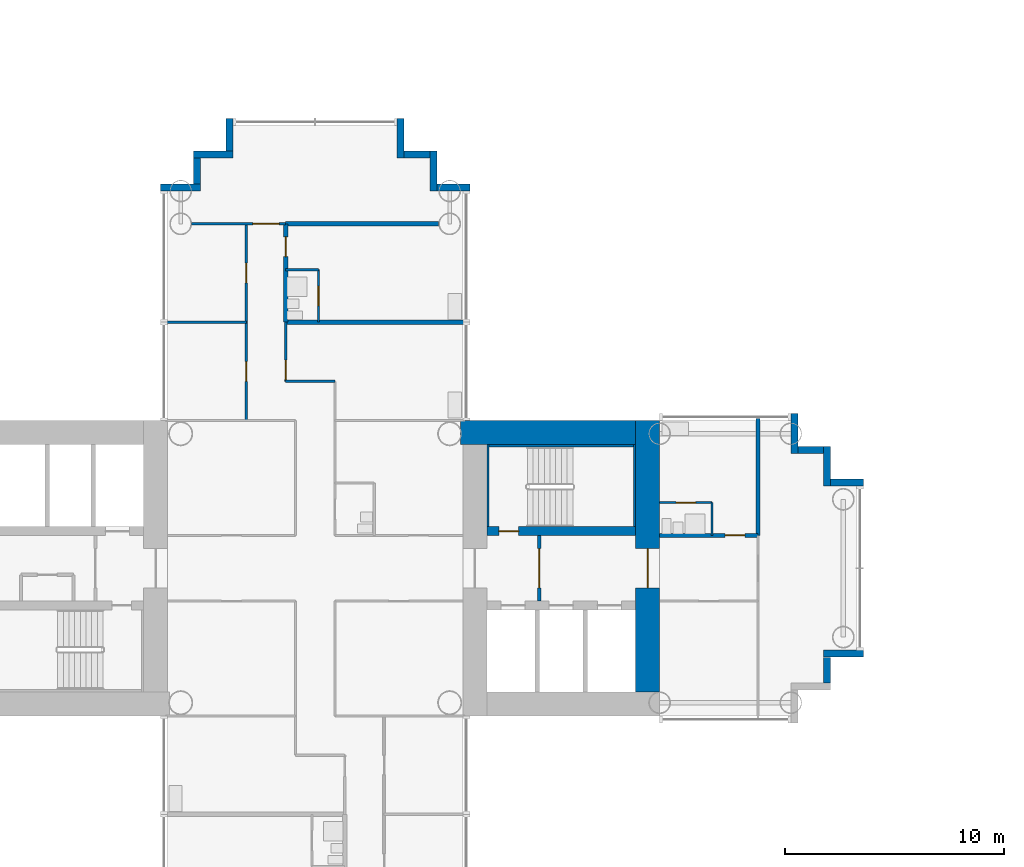
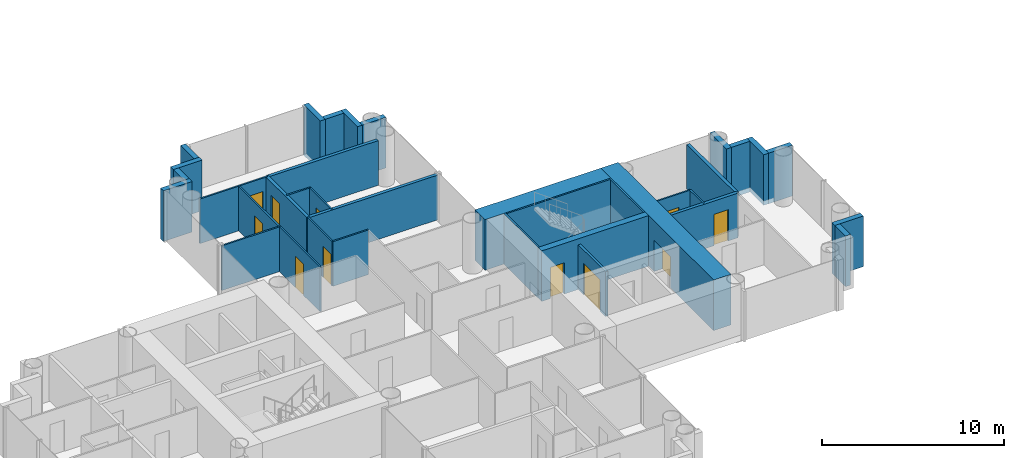
# One storey, part 11 of 21: 35 walls, 11 doors, 11 openings.
"""IFC4 building model written with IfcOpenShell, lengths in metres."""

import ifcopenshell
import ifcopenshell.guid

model = None  # the IFC model being written
_history = None  # IfcOwnerHistory: only IFC2X3 demands one
_inside = {}  # id of a spatial element -> (the spatial element, [elements in it])
_under = {}  # id of a project, library or spatial element -> (it, [spatial elements below it])
_declared = {}  # id of a project -> (the project, [libraries it declares])
_typed = {}  # id of a type object -> (the type object, [elements of that type])
_made_of = {}  # id of a material, layer set ... -> (it, [elements and type objects made of it])


def new_model(schema):
    """Start an empty IFC model of exactly this schema.

    Asked for "IFC4X3", IfcOpenShell would pick the latest addendum, in which some entities
    have other attributes; the version numbers below select the first issue.
    IFC2X3 requires an IfcOwnerHistory on every rooted entity: one is made here for all.
    """
    global model, _history
    if schema == "IFC4X3":
        model = ifcopenshell.file(schema_version=(4, 3, 0, 0))
    else:
        model = ifcopenshell.file(schema=schema)
    _inside.clear()
    _under.clear()
    _declared.clear()
    _typed.clear()
    _made_of.clear()
    _history = None
    if model.schema == "IFC2X3":
        org = make("IfcOrganization", Name="unknown")
        user = make(
            "IfcPersonAndOrganization",
            ThePerson=make("IfcPerson", FamilyName="unknown"),
            TheOrganization=org,
        )
        app = make(
            "IfcApplication",
            ApplicationDeveloper=org,
            Version="unknown",
            ApplicationFullName="unknown",
            ApplicationIdentifier="unknown",
        )
        _history = make(
            "IfcOwnerHistory",
            OwningUser=user,
            OwningApplication=app,
            ChangeAction="ADDED",
            CreationDate=0,
        )
    return model


def make(cls, **values):
    """One entity of the class cls with the attributes given. An attribute that is None is left unset."""
    return model.create_entity(
        cls, **{name: value for name, value in values.items() if value is not None}
    )


def rooted(cls, **values):
    """An entity with a GlobalId (a new one), such as an element, a storey or a relation."""
    return make(cls, GlobalId=ifcopenshell.guid.new(), OwnerHistory=_history, **values)


def si_unit(unit_type, name, prefix=None):
    """IfcSIUnit, for example si_unit("LENGTHUNIT", "METRE", prefix="MILLI")."""
    return make("IfcSIUnit", UnitType=unit_type, Prefix=prefix, Name=name)


def assignment(units):
    """IfcUnitAssignment: the units of a project."""
    return None if units is None else make("IfcUnitAssignment", Units=units)


def point(xyz):
    """IfcCartesianPoint."""
    return None if xyz is None else make("IfcCartesianPoint", Coordinates=xyz)


def direction(xyz):
    """IfcDirection."""
    return None if xyz is None else make("IfcDirection", DirectionRatios=xyz)


def frame(location, z_axis=None, x_axis=None):
    """IfcAxis2Placement3D, a coordinate frame: its origin and axes. An axis left out is left unset."""
    return make(
        "IfcAxis2Placement3D",
        Location=point(location),
        Axis=direction(z_axis),
        RefDirection=direction(x_axis),
    )


def frame_2d(location, x_axis=None):
    """IfcAxis2Placement2D, a coordinate frame in the plane: its origin and x axis."""
    return make(
        "IfcAxis2Placement2D", Location=point(location), RefDirection=direction(x_axis)
    )


def origin():
    """The frame at (0, 0, 0) with its axes left unset."""
    return frame((0.0, 0.0, 0.0))


def place(relative_to, where):
    """IfcLocalPlacement: puts the frame where relative to a parent placement (None: the world)."""
    return make(
        "IfcLocalPlacement", PlacementRelTo=relative_to, RelativePlacement=where
    )


def context(
    kind, dimensions, precision=None, world=None, true_north=None, identifier=None
):
    """IfcGeometricRepresentationContext, for example the 3D "Model" context."""
    return make(
        "IfcGeometricRepresentationContext",
        ContextIdentifier=identifier,
        ContextType=kind,
        CoordinateSpaceDimension=dimensions,
        Precision=precision,
        WorldCoordinateSystem=world,
        TrueNorth=true_north,
    )


def subcontext(parent, identifier, kind, view, scale=None):
    """IfcGeometricRepresentationSubContext, for example "Body" below "Model"."""
    return make(
        "IfcGeometricRepresentationSubContext",
        ContextIdentifier=identifier,
        ContextType=kind,
        ParentContext=parent,
        TargetScale=scale,
        TargetView=view,
    )


def project(units=None, contexts=None):
    """IfcProject with its units and contexts."""
    return rooted(
        "IfcProject",
        Name="project",
        RepresentationContexts=contexts,
        UnitsInContext=assignment(units),
    )


def spatial(cls, under=None, at=None, **own):
    """A site, building, storey or space (cls), placed at a placement, below another one or the project."""
    s = rooted(cls, ObjectPlacement=at, **own)
    if under is not None:
        _under.setdefault(under.id(), (under, []))[1].append(s)
    return s


def profile(cls, at=None, kind="AREA", **sizes):
    """A parametric profile (cls). Its sizes go by their IFC names, for example OverallWidth=200.0."""
    return make(cls, ProfileType=kind, Position=at, **sizes)


def rectangle(**sizes):
    """IfcRectangleProfileDef."""
    return profile("IfcRectangleProfileDef", **sizes)


def extrude(swept, where, along, depth):
    """IfcExtrudedAreaSolid: the profile swept, set in the frame where, extruded along a direction by depth."""
    return make(
        "IfcExtrudedAreaSolid",
        SweptArea=swept,
        Position=where,
        ExtrudedDirection=direction(along),
        Depth=depth,
    )


def shape(context_of_items, identifier, shape_type, items):
    """IfcShapeRepresentation: the items that make up one representation, for example the "Body"."""
    return make(
        "IfcShapeRepresentation",
        ContextOfItems=context_of_items,
        RepresentationIdentifier=identifier,
        RepresentationType=shape_type,
        Items=items,
    )


def material(Name=None, Category=None):
    """IfcMaterial."""
    return make("IfcMaterial", Name=Name, Category=Category)


def layer(
    of_material, thickness, ventilated=None, Name=None, Category=None, Priority=None
):
    """IfcMaterialLayer: one layer of a wall or slab, of a material (None: an air gap)."""
    return make(
        "IfcMaterialLayer",
        Material=of_material,
        LayerThickness=thickness,
        IsVentilated=ventilated,
        Name=Name,
        Category=Category,
        Priority=Priority,
    )


def layer_set(layers, Name=None):
    """IfcMaterialLayerSet."""
    return make("IfcMaterialLayerSet", MaterialLayers=layers, LayerSetName=Name)


def made_of(thing, what):
    """Note that an element or type object is made of a material, layer set ...; save() writes the relation."""
    if what is not None:
        _made_of.setdefault(what.id(), (what, []))[1].append(thing)
    return thing


def type_object(cls, material=None, **own):
    """A type object (cls), such as IfcWallType, which elements share."""
    return made_of(rooted(cls, **own), material)


def element(
    cls,
    number,
    at=None,
    inside=None,
    cuts=None,
    type_object=None,
    material=None,
    context=None,
    identifier="Body",
    shape_type=None,
    held_by="IfcProductDefinitionShape",
    body=None,
    shapes=None,
    **own,
):
    """One element of the class cls, such as IfcWall. Its Tag is "e" and its number.

    at: its placement. inside: the storey or other place that contains it. cuts: it is an
    opening in that element (IfcRelVoidsElement). A single representation is given by context,
    identifier, shape_type and body (its items); several are given by shapes. held_by: the class
    of the entity that holds the representations. save() writes the other relations.
    """
    e = rooted(cls, Tag="e%d" % number, ObjectPlacement=at, **own)
    if body is not None:
        shapes = [shape(context, identifier, shape_type, body)]
    if shapes is not None:
        e.Representation = make(held_by, Representations=shapes)
    if inside is not None:
        _inside.setdefault(inside.id(), (inside, []))[1].append(e)
    if cuts is not None:
        rooted(
            "IfcRelVoidsElement", RelatingBuildingElement=cuts, RelatedOpeningElement=e
        )
    if type_object is not None:
        _typed.setdefault(type_object.id(), (type_object, []))[1].append(e)
    return made_of(e, material)


def fill(opening, filler):
    """IfcRelFillsElement: the door or window that sits in an opening."""
    return rooted(
        "IfcRelFillsElement",
        RelatingOpeningElement=opening,
        RelatedBuildingElement=filler,
    )


def aggregate(whole, parts):
    """IfcRelAggregates: a whole, such as a stair, and the parts it consists of."""
    return rooted("IfcRelAggregates", RelatingObject=whole, RelatedObjects=parts)


def save(model, path):
    """Write the relations noted so far, then the file.

    IfcRelAggregates (storeys below a building ...), IfcRelContainedInSpatialStructure (elements
    in a storey), IfcRelDefinesByType, IfcRelAssociatesMaterial and IfcRelDeclares: one each for
    every whole, place, type object, material and project.
    """
    for whole, parts in _under.values():
        aggregate(whole, parts)
    for where, things in _inside.values():
        rooted(
            "IfcRelContainedInSpatialStructure",
            RelatedElements=things,
            RelatingStructure=where,
        )
    for kind, things in _typed.values():
        rooted("IfcRelDefinesByType", RelatedObjects=things, RelatingType=kind)
    for what, things in _made_of.values():
        rooted("IfcRelAssociatesMaterial", RelatedObjects=things, RelatingMaterial=what)
    for by, libraries in _declared.values():
        rooted("IfcRelDeclares", RelatingContext=by, RelatedDefinitions=libraries)
    model.write(path)


model = new_model("IFC4")

# Units and contexts
model_context = context("Model", 3, precision=1e-05, world=origin(), true_north=direction((0.0, 1.0)))
body_context = subcontext(model_context, "Body", "Model", "MODEL_VIEW")
ifc_project = project(units=[si_unit("LENGTHUNIT", "METRE"), si_unit("AREAUNIT", "SQUARE_METRE"), si_unit("VOLUMEUNIT", "CUBIC_METRE"), si_unit("PLANEANGLEUNIT", "RADIAN"), si_unit("MASSUNIT", "GRAM", prefix="KILO")], contexts=[model_context])

# Site, building, storey
site_placement = place(None, origin())
site = spatial("IfcSite", under=ifc_project, at=site_placement, CompositionType="ELEMENT")
building_placement = place(site_placement, origin())
building = spatial("IfcBuilding", under=site, at=building_placement, Name="Ipe Terrace Towers", CompositionType="ELEMENT")
storey_placement = place(building_placement, frame((0.0, 0.0, 48.300048828125)))
storey = spatial("IfcBuildingStorey", under=building, at=storey_placement, Name="L12", CompositionType="ELEMENT", Elevation=48.300048828125)

# Walls
ifc_material_1 = material(Name="Concrete C40/50 with buff precast cladding", Category="concrete")
ifc_layer_1 = layer(ifc_material_1, 0.320068359375)
ifc_layer_set_1 = layer_set([ifc_layer_1], Name="BUFF CLADDING WALL 320")
wall_type_1 = type_object("IfcWallType", Name="BUFF CLADDING WALL 320", PredefinedType="STANDARD", material=ifc_layer_set_1)
wall_1_placement = place(storey_placement, frame((-12.590087890625, -5.25, -0.300048828125), z_axis=(0.0, 0.0, 1.0), x_axis=(0.0, 1.0, 0.0)))
element("IfcWall", 1, at=wall_1_placement, inside=storey, type_object=wall_type_1, Name="T1-W-L12-23a wall", PredefinedType="STANDARD", context=body_context, shape_type="SweptSolid", body=[
    extrude(rectangle(XDim=1.179931640625, YDim=0.320068359375, at=frame_2d((0.58984375, 0.0))), origin(), (0.0, 0.0, 1.0), 3.39990234375),
])
wall_2_placement = place(storey_placement, frame((-12.75, -3.909912109375, -0.300048828125), z_axis=(0.0, 0.0, 1.0), x_axis=(1.0, 0.0, 0.0)))
element("IfcWall", 2, at=wall_2_placement, inside=storey, type_object=wall_type_1, Name="T1-W-L12-24a wall", PredefinedType="STANDARD", context=body_context, shape_type="SweptSolid", body=[
    extrude(rectangle(XDim=1.820068359375, YDim=0.320068359375, at=frame_2d((0.91015625, 0.0))), origin(), (0.0, 0.0, 1.0), 3.39990234375),
])
wall_3_placement = place(storey_placement, frame((-10.929931640625, 3.909912109375, -0.300048828125), z_axis=(0.0, 0.0, 1.0), x_axis=(-1.0, 0.0, 0.0)))
element("IfcWall", 3, at=wall_3_placement, inside=storey, type_object=wall_type_1, Name="T1-W-L12-26a wall", PredefinedType="STANDARD", context=body_context, shape_type="SweptSolid", body=[
    extrude(rectangle(XDim=1.5, YDim=0.320068359375, at=frame_2d((0.75, 0.0))), origin(), (0.0, 0.0, 1.0), 3.39990234375),
])
wall_4_placement = place(storey_placement, frame((-12.590087890625, 3.75, -0.300048828125), z_axis=(0.0, 0.0, 1.0), x_axis=(0.0, 1.0, 0.0)))
element("IfcWall", 4, at=wall_4_placement, inside=storey, type_object=wall_type_1, Name="T1-W-L12-27a wall", PredefinedType="STANDARD", context=body_context, shape_type="SweptSolid", body=[
    extrude(rectangle(XDim=1.820068359375, YDim=0.320068359375, at=frame_2d((0.91015625, 0.0))), origin(), (0.0, 0.0, 1.0), 3.39990234375),
])
wall_5_placement = place(storey_placement, frame((-12.75, 5.409912109375, -0.300048828125), z_axis=(0.0, 0.0, 1.0), x_axis=(-1.0, 0.0, 0.0)))
element("IfcWall", 5, at=wall_5_placement, inside=storey, type_object=wall_type_1, Name="T1-W-L12-28a wall", PredefinedType="STANDARD", context=body_context, shape_type="SweptSolid", body=[
    extrude(rectangle(XDim=1.179931640625, YDim=0.320068359375, at=frame_2d((0.58984375, 0.0))), origin(), (0.0, 0.0, 1.0), 3.39990234375),
])
wall_6_placement = place(storey_placement, frame((-14.090087890625, 5.25, -0.300048828125), z_axis=(0.0, 0.0, 1.0), x_axis=(0.0, 1.0, 0.0)))
element("IfcWall", 6, at=wall_6_placement, inside=storey, type_object=wall_type_1, Name="T1-W-L12-29a wall", PredefinedType="STANDARD", context=body_context, shape_type="SweptSolid", body=[
    extrude(rectangle(XDim=1.820068359375, YDim=0.320068359375, at=frame_2d((0.91015625, 0.0))), origin(), (0.0, 0.0, 1.0), 3.39990234375),
])
wall_7_placement = place(storey_placement, frame((-28.929931640625, 17.409912109375, -0.300048828125), z_axis=(0.0, 0.0, 1.0), x_axis=(-1.0, 0.0, 0.0)))
element("IfcWall", 7, at=wall_7_placement, inside=storey, type_object=wall_type_1, Name="T1-W-L12-34a wall", PredefinedType="STANDARD", context=body_context, shape_type="SweptSolid", body=[
    extrude(rectangle(XDim=1.5, YDim=0.320068359375, at=frame_2d((0.75, 0.0))), origin(), (0.0, 0.0, 1.0), 3.39990234375),
])
wall_8_placement = place(storey_placement, frame((-30.590087890625, 17.25, -0.300048828125), z_axis=(0.0, 0.0, 1.0), x_axis=(0.0, 1.0, 0.0)))
element("IfcWall", 8, at=wall_8_placement, inside=storey, type_object=wall_type_1, Name="T1-W-L12-35a wall", PredefinedType="STANDARD", context=body_context, shape_type="SweptSolid", body=[
    extrude(rectangle(XDim=1.820068359375, YDim=0.320068359375, at=frame_2d((0.91015625, 0.0))), origin(), (0.0, 0.0, 1.0), 3.39990234375),
])
wall_9_placement = place(storey_placement, frame((-30.75, 18.909912109375, -0.300048828125), z_axis=(0.0, 0.0, 1.0), x_axis=(-1.0, 0.0, 0.0)))
element("IfcWall", 9, at=wall_9_placement, inside=storey, type_object=wall_type_1, Name="T1-W-L12-36a wall", PredefinedType="STANDARD", context=body_context, shape_type="SweptSolid", body=[
    extrude(rectangle(XDim=1.179931640625, YDim=0.320068359375, at=frame_2d((0.58984375, 0.0))), origin(), (0.0, 0.0, 1.0), 3.39990234375),
])
wall_10_placement = place(storey_placement, frame((-32.090087890625, 18.75, -0.300048828125), z_axis=(0.0, 0.0, 1.0), x_axis=(0.0, 1.0, 0.0)))
element("IfcWall", 10, at=wall_10_placement, inside=storey, type_object=wall_type_1, Name="T1-W-L12-37a wall", PredefinedType="STANDARD", context=body_context, shape_type="SweptSolid", body=[
    extrude(rectangle(XDim=1.820068359375, YDim=0.320068359375, at=frame_2d((0.91015625, 0.0))), origin(), (0.0, 0.0, 1.0), 3.39990234375),
])
wall_11_placement = place(storey_placement, frame((-39.909912109375, 20.570068359375, -0.300048828125), z_axis=(0.0, 0.0, 1.0), x_axis=(0.0, -1.0, 0.0)))
element("IfcWall", 11, at=wall_11_placement, inside=storey, type_object=wall_type_1, Name="T1-W-L12-39a wall", PredefinedType="STANDARD", context=body_context, shape_type="SweptSolid", body=[
    extrude(rectangle(XDim=1.5, YDim=0.320068359375, at=frame_2d((0.75, 0.0))), origin(), (0.0, 0.0, 1.0), 3.39990234375),
])
wall_12_placement = place(storey_placement, frame((-39.75, 18.909912109375, -0.300048828125), z_axis=(0.0, 0.0, 1.0), x_axis=(-1.0, 0.0, 0.0)))
element("IfcWall", 12, at=wall_12_placement, inside=storey, type_object=wall_type_1, Name="T1-W-L12-40a wall", PredefinedType="STANDARD", context=body_context, shape_type="SweptSolid", body=[
    extrude(rectangle(XDim=1.820068359375, YDim=0.320068359375, at=frame_2d((0.91015625, 0.0))), origin(), (0.0, 0.0, 1.0), 3.39990234375),
])
wall_13_placement = place(storey_placement, frame((-41.409912109375, 18.75, -0.300048828125), z_axis=(0.0, 0.0, 1.0), x_axis=(0.0, -1.0, 0.0)))
element("IfcWall", 13, at=wall_13_placement, inside=storey, type_object=wall_type_1, Name="T1-W-L12-41a wall", PredefinedType="STANDARD", context=body_context, shape_type="SweptSolid", body=[
    extrude(rectangle(XDim=1.179931640625, YDim=0.320068359375, at=frame_2d((0.58984375, 0.0))), origin(), (0.0, 0.0, 1.0), 3.39990234375),
])
wall_14_placement = place(storey_placement, frame((-41.25, 17.409912109375, -0.300048828125), z_axis=(0.0, 0.0, 1.0), x_axis=(-1.0, 0.0, 0.0)))
element("IfcWall", 14, at=wall_14_placement, inside=storey, type_object=wall_type_1, Name="T1-W-L12-42a wall", PredefinedType="STANDARD", context=body_context, shape_type="SweptSolid", body=[
    extrude(rectangle(XDim=1.820068359375, YDim=0.320068359375, at=frame_2d((0.91015625, 0.0))), origin(), (0.0, 0.0, 1.0), 3.39990234375),
])

# Wall, openings, doors
ifc_material_2 = material(Name="Gypsum board partition", Category="plasterboard")
ifc_layer_2 = layer(ifc_material_2, 0.10009765625)
ifc_layer_set_2 = layer_set([ifc_layer_2], Name="Gypsum board partition 100 mm")
wall_type_2 = type_object("IfcWallType", Name="Gypsum board partition 100 mm", PredefinedType="PARTITIONING", material=ifc_layer_set_2)
wall_15_placement = place(storey_placement, frame((-39.14990234375, 6.75, 0.0), z_axis=(0.0, 0.0, 1.0), x_axis=(0.0, 1.0, 0.0)))
wall_15 = element("IfcWall", 15, at=wall_15_placement, inside=storey, type_object=wall_type_2, Name="Gypsum board partition T1 L12 W04", PredefinedType="PARTITIONING", context=body_context, shape_type="SweptSolid", body=[
    extrude(rectangle(XDim=9.0, YDim=0.10009765625, at=frame_2d((4.5, 0.0))), origin(), (0.0, 0.0, 1.0), 3.0),
])
opening_1_placement = place(wall_15_placement, frame((1.800048828125, 0.0, 0.0)))
opening_1 = element("IfcOpeningElement", 16, at=opening_1_placement, cuts=wall_15, Name="Opening T1-Z1C-06", PredefinedType="OPENING", context=body_context, shape_type="SweptSolid", body=[
    extrude(rectangle(XDim=0.89990234375, YDim=2.10009765625, at=frame_2d((0.449951171875, 1.050048828125))), frame((0.0, 0.06005859375, 0.0), z_axis=(0.0, -1.0, 0.0), x_axis=(1.0, 0.0, 0.0)), (0.0, 0.0, 1.0), 0.1201171875),
])
opening_2_placement = place(wall_15_placement, frame((6.300048828125, 0.0, 0.0)))
opening_2 = element("IfcOpeningElement", 17, at=opening_2_placement, cuts=wall_15, Name="Opening T1-Z1C-07", PredefinedType="OPENING", context=body_context, shape_type="SweptSolid", body=[
    extrude(rectangle(XDim=0.89990234375, YDim=2.10009765625, at=frame_2d((0.449951171875, 1.050048828125))), frame((0.0, 0.06005859375, 0.0), z_axis=(0.0, -1.0, 0.0), x_axis=(1.0, 0.0, 0.0)), (0.0, 0.0, 1.0), 0.1201171875),
])
ifc_material_3 = material(Name="Timber door leaf", Category="wood")
door_type_1 = type_object("IfcDoorType", Name="Lounge door 900 x 2100", OperationType="NOTDEFINED", PredefinedType="DOOR", material=ifc_material_3)
door_1_placement = place(opening_1_placement, origin())
door_1 = element("IfcDoor", 18, at=door_1_placement, inside=storey, type_object=door_type_1, Name="Lounge door T1-Z1C-06", OperationType="SINGLE_SWING_RIGHT", OverallHeight=2.10009765625, OverallWidth=0.89990234375, PredefinedType="DOOR", context=body_context, shape_type="SweptSolid", body=[
    extrude(rectangle(XDim=0.89990234375, YDim=2.10009765625, at=frame_2d((0.449951171875, 1.050048828125))), frame((0.0, 0.02490234375, 0.0), z_axis=(0.0, -1.0, 0.0), x_axis=(1.0, 0.0, 0.0)), (0.0, 0.0, 1.0), 0.050048828125),
])
fill(opening_1, door_1)
door_2_placement = place(opening_2_placement, origin())
door_2 = element("IfcDoor", 19, at=door_2_placement, inside=storey, type_object=door_type_1, Name="Lounge door T1-Z1C-07", OperationType="SINGLE_SWING_LEFT", OverallHeight=2.10009765625, OverallWidth=0.89990234375, PredefinedType="DOOR", context=body_context, shape_type="SweptSolid", body=[
    extrude(rectangle(XDim=0.89990234375, YDim=2.10009765625, at=frame_2d((0.449951171875, 1.050048828125))), frame((0.0, 0.02490234375, 0.0), z_axis=(0.0, -1.0, 0.0), x_axis=(1.0, 0.0, 0.0)), (0.0, 0.0, 1.0), 0.050048828125),
])
fill(opening_2, door_2)

# Wall, opening, door
wall_16_placement = place(storey_placement, frame((-37.35009765625, 8.550048828125, 0.0), z_axis=(0.0, 0.0, 1.0), x_axis=(0.0, 1.0, 0.0)))
wall_16 = element("IfcWall", 20, at=wall_16_placement, inside=storey, type_object=wall_type_2, Name="Gypsum board partition T1 L12 W05", PredefinedType="PARTITIONING", context=body_context, shape_type="SweptSolid", body=[
    extrude(rectangle(XDim=2.699951171875, YDim=0.10009765625, at=frame_2d((1.35009765625, 0.0))), origin(), (0.0, 0.0, 1.0), 3.0),
])
opening_3_placement = place(wall_16_placement, frame((0.070068359375, 0.0, 0.0)))
opening_3 = element("IfcOpeningElement", 21, at=opening_3_placement, cuts=wall_16, Name="Opening T1-Z1C-08", PredefinedType="OPENING", context=body_context, shape_type="SweptSolid", body=[
    extrude(rectangle(XDim=0.89990234375, YDim=2.10009765625, at=frame_2d((0.449951171875, 1.050048828125))), frame((0.0, 0.06005859375, 0.0), z_axis=(0.0, -1.0, 0.0), x_axis=(1.0, 0.0, 0.0)), (0.0, 0.0, 1.0), 0.1201171875),
])
door_3_placement = place(opening_3_placement, origin())
door_3 = element("IfcDoor", 22, at=door_3_placement, inside=storey, type_object=door_type_1, Name="Lounge door T1-Z1C-08", OperationType="SINGLE_SWING_LEFT", OverallHeight=2.10009765625, OverallWidth=0.89990234375, PredefinedType="DOOR", context=body_context, shape_type="SweptSolid", body=[
    extrude(rectangle(XDim=0.89990234375, YDim=2.10009765625, at=frame_2d((0.449951171875, 1.050048828125))), frame((0.0, 0.02490234375, 0.0), z_axis=(0.0, -1.0, 0.0), x_axis=(1.0, 0.0, 0.0)), (0.0, 0.0, 1.0), 0.050048828125),
])
fill(opening_3, door_3)

wall_17_placement = place(storey_placement, frame((-35.85009765625, 11.25, 0.0), z_axis=(0.0, 0.0, 1.0), x_axis=(0.0, 1.0, 0.0)))
wall_17 = element("IfcWall", 23, at=wall_17_placement, inside=storey, type_object=wall_type_2, Name="Gypsum board partition T1 L12 W10", PredefinedType="PARTITIONING", context=body_context, shape_type="SweptSolid", body=[
    extrude(rectangle(XDim=2.39990234375, YDim=0.10009765625, at=frame_2d((1.199951171875, 0.0))), origin(), (0.0, 0.0, 1.0), 3.0),
])
opening_4_placement = place(wall_17_placement, frame((0.75, 0.0, 0.0)))
opening_4 = element("IfcOpeningElement", 24, at=opening_4_placement, cuts=wall_17, Name="Opening T1-Z1C-10", PredefinedType="OPENING", context=body_context, shape_type="SweptSolid", body=[
    extrude(rectangle(XDim=0.89990234375, YDim=2.10009765625, at=frame_2d((0.449951171875, 1.050048828125))), frame((0.0, 0.06005859375, 0.0), z_axis=(0.0, -1.0, 0.0), x_axis=(1.0, 0.0, 0.0)), (0.0, 0.0, 1.0), 0.1201171875),
])
ifc_material_4 = material(Name="Timber door leaf", Category="wood")
door_type_2 = type_object("IfcDoorType", Name="Bathroom door 900 x 2100", OperationType="NOTDEFINED", PredefinedType="DOOR", material=ifc_material_4)
door_4_placement = place(opening_4_placement, origin())
door_4 = element("IfcDoor", 25, at=door_4_placement, inside=storey, type_object=door_type_2, Name="Bathroom door T1-Z1C-10", OperationType="SINGLE_SWING_RIGHT", OverallHeight=2.10009765625, OverallWidth=0.89990234375, PredefinedType="DOOR", context=body_context, shape_type="SweptSolid", body=[
    extrude(rectangle(XDim=0.89990234375, YDim=2.10009765625, at=frame_2d((0.449951171875, 1.050048828125))), frame((0.0, 0.02490234375, 0.0), z_axis=(0.0, -1.0, 0.0), x_axis=(1.0, 0.0, 0.0)), (0.0, 0.0, 1.0), 0.050048828125),
])
fill(opening_4, door_4)

# Wall
wall_18_placement = place(storey_placement, frame((-17.85009765625, 1.5, 0.0), z_axis=(0.0, 0.0, 1.0), x_axis=(0.0, 1.0, 0.0)))
element("IfcWall", 26, at=wall_18_placement, inside=storey, type_object=wall_type_2, Name="Gypsum board partition T1 L12 W17", PredefinedType="PARTITIONING", context=body_context, shape_type="SweptSolid", body=[
    extrude(rectangle(XDim=1.5, YDim=0.10009765625, at=frame_2d((0.75, 0.0))), origin(), (0.0, 0.0, 1.0), 3.0),
])

# Wall, opening, door
wall_19_placement = place(storey_placement, frame((-20.25, 3.0, 0.0), z_axis=(0.0, 0.0, 1.0), x_axis=(1.0, 0.0, 0.0)))
wall_19 = element("IfcWall", 27, at=wall_19_placement, inside=storey, type_object=wall_type_2, Name="Gypsum board partition T1 L12 W39", PredefinedType="PARTITIONING", context=body_context, shape_type="SweptSolid", body=[
    extrude(rectangle(XDim=2.39990234375, YDim=0.10009765625, at=frame_2d((1.199951171875, 0.0))), origin(), (0.0, 0.0, 1.0), 3.0),
])
opening_5_placement = place(wall_19_placement, frame((0.75, 0.0, 0.0)))
opening_5 = element("IfcOpeningElement", 28, at=opening_5_placement, cuts=wall_19, Name="Opening T1-Z1C-19", PredefinedType="OPENING", context=body_context, shape_type="SweptSolid", body=[
    extrude(rectangle(XDim=0.89990234375, YDim=2.10009765625, at=frame_2d((0.449951171875, 1.050048828125))), frame((0.0, 0.06005859375, 0.0), z_axis=(0.0, -1.0, 0.0), x_axis=(1.0, 0.0, 0.0)), (0.0, 0.0, 1.0), 0.1201171875),
])
door_5_placement = place(opening_5_placement, origin())
door_5 = element("IfcDoor", 29, at=door_5_placement, inside=storey, type_object=door_type_2, Name="Bathroom door T1-Z1C-19", OperationType="SINGLE_SWING_RIGHT", OverallHeight=2.10009765625, OverallWidth=0.89990234375, PredefinedType="DOOR", context=body_context, shape_type="SweptSolid", body=[
    extrude(rectangle(XDim=0.89990234375, YDim=2.10009765625, at=frame_2d((0.449951171875, 1.050048828125))), frame((0.0, 0.02490234375, 0.0), z_axis=(0.0, -1.0, 0.0), x_axis=(1.0, 0.0, 0.0)), (0.0, 0.0, 1.0), 0.050048828125),
])
fill(opening_5, door_5)

# Walls
wall_20_placement = place(storey_placement, frame((-37.35009765625, 8.550048828125, 0.0), z_axis=(0.0, 0.0, 1.0), x_axis=(1.0, 0.0, 0.0)))
element("IfcWall", 30, at=wall_20_placement, inside=storey, type_object=wall_type_2, Name="Gypsum board partition T1 L12 W44", PredefinedType="PARTITIONING", context=body_context, shape_type="SweptSolid", body=[
    extrude(rectangle(XDim=2.25, YDim=0.10009765625, at=frame_2d((1.125, 0.0))), origin(), (0.0, 0.0, 1.0), 3.0),
])
wall_21_placement = place(storey_placement, frame((-42.85009765625, 11.25, 0.0), z_axis=(0.0, 0.0, 1.0), x_axis=(1.0, 0.0, 0.0)))
element("IfcWall", 31, at=wall_21_placement, inside=storey, type_object=wall_type_2, Name="Gypsum board partition T1 L12 W45", PredefinedType="PARTITIONING", context=body_context, shape_type="SweptSolid", body=[
    extrude(rectangle(XDim=3.7001953125, YDim=0.10009765625, at=frame_2d((1.85009765625, 0.0))), origin(), (0.0, 0.0, 1.0), 3.0),
])
wall_22_placement = place(storey_placement, frame((-37.35009765625, 13.64990234375, 0.0), z_axis=(0.0, 0.0, 1.0), x_axis=(1.0, 0.0, 0.0)))
element("IfcWall", 32, at=wall_22_placement, inside=storey, type_object=wall_type_2, Name="Gypsum board partition T1 L12 W47", PredefinedType="PARTITIONING", context=body_context, shape_type="SweptSolid", body=[
    extrude(rectangle(XDim=1.5, YDim=0.10009765625, at=frame_2d((0.75, 0.0))), origin(), (0.0, 0.0, 1.0), 3.0),
])

# Wall, opening, door
wall_23_placement = place(storey_placement, frame((-41.64990234375, 15.75, 0.0), z_axis=(0.0, 0.0, 1.0), x_axis=(1.0, 0.0, 0.0)))
wall_23 = element("IfcWall", 33, at=wall_23_placement, inside=storey, type_object=wall_type_2, Name="Gypsum board partition T1 L12 W48", PredefinedType="PARTITIONING", context=body_context, shape_type="SweptSolid", body=[
    extrude(rectangle(XDim=4.2998046875, YDim=0.10009765625, at=frame_2d((2.14990234375, 0.0))), origin(), (0.0, 0.0, 1.0), 3.0),
])
opening_6_placement = place(wall_23_placement, frame((2.800048828125, 0.0, 0.0)))
opening_6 = element("IfcOpeningElement", 34, at=opening_6_placement, cuts=wall_23, Name="Opening T1-Z1C-11", PredefinedType="OPENING", context=body_context, shape_type="SweptSolid", body=[
    extrude(rectangle(XDim=1.199951171875, YDim=2.10009765625, at=frame_2d((0.60009765625, 1.050048828125))), frame((0.0, 0.06005859375, 0.0), z_axis=(0.0, -1.0, 0.0), x_axis=(1.0, 0.0, 0.0)), (0.0, 0.0, 1.0), 0.1201171875),
])
ifc_material_5 = material(Name="Timber door leaf", Category="wood")
door_type_3 = type_object("IfcDoorType", Name="Lounge door 1200 x 2100", OperationType="NOTDEFINED", PredefinedType="DOOR", material=ifc_material_5)
door_6_placement = place(opening_6_placement, origin())
door_6 = element("IfcDoor", 35, at=door_6_placement, inside=storey, type_object=door_type_3, Name="Lounge door T1-Z1C-11", OperationType="SINGLE_SWING_LEFT", OverallHeight=2.10009765625, OverallWidth=1.199951171875, PredefinedType="DOOR", context=body_context, shape_type="SweptSolid", body=[
    extrude(rectangle(XDim=1.199951171875, YDim=2.10009765625, at=frame_2d((0.60009765625, 1.050048828125))), frame((0.0, 0.02490234375, 0.0), z_axis=(0.0, -1.0, 0.0), x_axis=(1.0, 0.0, 0.0)), (0.0, 0.0, 1.0), 0.050048828125),
])
fill(opening_6, door_6)

ifc_material_6 = material(Name="Gypsum board partition", Category="plasterboard")
ifc_layer_3 = layer(ifc_material_6, 0.14990234375)
ifc_layer_set_3 = layer_set([ifc_layer_3], Name="Gypsum board partition 150 mm")
wall_type_3 = type_object("IfcWallType", Name="Gypsum board partition 150 mm", PredefinedType="PARTITIONING", material=ifc_layer_set_3)
wall_24_placement = place(storey_placement, frame((-25.75, -1.5, 0.0), z_axis=(0.0, 0.0, 1.0), x_axis=(0.0, 1.0, 0.0)))
wall_24 = element("IfcWall", 36, at=wall_24_placement, inside=storey, type_object=wall_type_3, Name="Gypsum board partition T1 L12 t1c1-lobby-wall", PredefinedType="PARTITIONING", context=body_context, shape_type="SweptSolid", body=[
    extrude(rectangle(XDim=3.0, YDim=0.14990234375, at=frame_2d((1.5, 0.0))), origin(), (0.0, 0.0, 1.0), 3.0),
])
opening_7_placement = place(wall_24_placement, frame((0.60009765625, 0.0, 0.0)))
opening_7 = element("IfcOpeningElement", 37, at=opening_7_placement, cuts=wall_24, Name="Opening T1C1-VD", PredefinedType="OPENING", context=body_context, shape_type="SweptSolid", body=[
    extrude(rectangle(XDim=1.800048828125, YDim=2.10009765625, at=frame_2d((0.89990234375, 1.050048828125))), frame((0.0, 0.0849609375, 0.0), z_axis=(0.0, -1.0, 0.0), x_axis=(1.0, 0.0, 0.0)), (0.0, 0.0, 1.0), 0.169921875),
])
ifc_material_7 = material(Name="Fire-rated timber door leaf", Category="wood")
door_type_4 = type_object("IfcDoorType", Name="Lobby door 1800 x 2100 FD60", OperationType="NOTDEFINED", PredefinedType="DOOR", material=ifc_material_7)
door_7_placement = place(opening_7_placement, origin())
door_7 = element("IfcDoor", 38, at=door_7_placement, inside=storey, type_object=door_type_4, Name="Lobby door T1C1-VD", OperationType="SINGLE_SWING_LEFT", OverallHeight=2.10009765625, OverallWidth=1.800048828125, PredefinedType="DOOR", context=body_context, shape_type="SweptSolid", body=[
    extrude(rectangle(XDim=1.800048828125, YDim=2.10009765625, at=frame_2d((0.89990234375, 1.050048828125))), frame((0.0, 0.02490234375, 0.0), z_axis=(0.0, -1.0, 0.0), x_axis=(1.0, 0.0, 0.0)), (0.0, 0.0, 1.0), 0.050048828125),
])
fill(opening_7, door_7)

ifc_material_8 = material(Name="Gypsum board party wall", Category="plasterboard")
ifc_layer_4 = layer(ifc_material_8, 0.199951171875)
ifc_layer_set_4 = layer_set([ifc_layer_4], Name="Gypsum board party wall 200 mm")
wall_type_4 = type_object("IfcWallType", Name="Gypsum board party wall 200 mm", PredefinedType="SOLIDWALL", material=ifc_layer_set_4)
wall_25_placement = place(storey_placement, frame((-37.35009765625, 11.25, 0.0), z_axis=(0.0, 0.0, 1.0), x_axis=(0.0, 1.0, 0.0)))
wall_25 = element("IfcWall", 39, at=wall_25_placement, inside=storey, type_object=wall_type_4, Name="Gypsum board party wall T1 L12 W06", PredefinedType="SOLIDWALL", context=body_context, shape_type="SweptSolid", body=[
    extrude(rectangle(XDim=4.5, YDim=0.199951171875, at=frame_2d((2.25, 0.0))), origin(), (0.0, 0.0, 1.0), 3.0),
])
opening_8_placement = place(wall_25_placement, frame((3.0, 0.0, 0.0)))
opening_8 = element("IfcOpeningElement", 40, at=opening_8_placement, cuts=wall_25, Name="Opening T1-Z1C-09", PredefinedType="OPENING", context=body_context, shape_type="SweptSolid", body=[
    extrude(rectangle(XDim=0.89990234375, YDim=2.10009765625, at=frame_2d((0.449951171875, 1.050048828125))), frame((0.0, 0.10986328125, 0.0), z_axis=(0.0, -1.0, 0.0), x_axis=(1.0, 0.0, 0.0)), (0.0, 0.0, 1.0), 0.219970703125),
])
ifc_material_9 = material(Name="Fire-rated timber door leaf", Category="wood")
door_type_5 = type_object("IfcDoorType", Name="Flat entrance door 900 x 2100 FD30S", OperationType="NOTDEFINED", PredefinedType="DOOR", material=ifc_material_9)
door_8_placement = place(opening_8_placement, origin())
door_8 = element("IfcDoor", 41, at=door_8_placement, inside=storey, type_object=door_type_5, Name="Flat entrance door T1-Z1C-09", OperationType="SINGLE_SWING_RIGHT", OverallHeight=2.10009765625, OverallWidth=0.89990234375, PredefinedType="DOOR", context=body_context, shape_type="SweptSolid", body=[
    extrude(rectangle(XDim=0.89990234375, YDim=2.10009765625, at=frame_2d((0.449951171875, 1.050048828125))), frame((0.0, 0.02490234375, 0.0), z_axis=(0.0, -1.0, 0.0), x_axis=(1.0, 0.0, 0.0)), (0.0, 0.0, 1.0), 0.050048828125),
])
fill(opening_8, door_8)

# Wall
wall_26_placement = place(storey_placement, frame((-15.75, 1.5, 0.0), z_axis=(0.0, 0.0, 1.0), x_axis=(0.0, 1.0, 0.0)))
element("IfcWall", 42, at=wall_26_placement, inside=storey, type_object=wall_type_4, Name="Gypsum board party wall T1 L12 W19", PredefinedType="SOLIDWALL", context=body_context, shape_type="SweptSolid", body=[
    extrude(rectangle(XDim=5.35009765625, YDim=0.199951171875, at=frame_2d((2.675048828125, 0.0))), origin(), (0.0, 0.0, 1.0), 3.0),
])

# Wall, opening, door
wall_27_placement = place(storey_placement, frame((-20.25, 1.5, 0.0), z_axis=(0.0, 0.0, 1.0), x_axis=(1.0, 0.0, 0.0)))
wall_27 = element("IfcWall", 43, at=wall_27_placement, inside=storey, type_object=wall_type_4, Name="Gypsum board party wall T1 L12 W37", PredefinedType="SOLIDWALL", context=body_context, shape_type="SweptSolid", body=[
    extrude(rectangle(XDim=4.5, YDim=0.199951171875, at=frame_2d((2.25, 0.0))), origin(), (0.0, 0.0, 1.0), 3.0),
])
opening_9_placement = place(wall_27_placement, frame((3.0, 0.0, 0.0)))
opening_9 = element("IfcOpeningElement", 44, at=opening_9_placement, cuts=wall_27, Name="Opening T1-Z1C-18", PredefinedType="OPENING", context=body_context, shape_type="SweptSolid", body=[
    extrude(rectangle(XDim=0.89990234375, YDim=2.10009765625, at=frame_2d((0.449951171875, 1.050048828125))), frame((0.0, 0.10986328125, 0.0), z_axis=(0.0, -1.0, 0.0), x_axis=(1.0, 0.0, 0.0)), (0.0, 0.0, 1.0), 0.219970703125),
])
door_9_placement = place(opening_9_placement, origin())
door_9 = element("IfcDoor", 45, at=door_9_placement, inside=storey, type_object=door_type_5, Name="Flat entrance door T1-Z1C-18", OperationType="SINGLE_SWING_LEFT", OverallHeight=2.10009765625, OverallWidth=0.89990234375, PredefinedType="DOOR", context=body_context, shape_type="SweptSolid", body=[
    extrude(rectangle(XDim=0.89990234375, YDim=2.10009765625, at=frame_2d((0.449951171875, 1.050048828125))), frame((0.0, 0.02490234375, 0.0), z_axis=(0.0, -1.0, 0.0), x_axis=(1.0, 0.0, 0.0)), (0.0, 0.0, 1.0), 0.050048828125),
])
fill(opening_9, door_9)

# Walls
wall_28_placement = place(storey_placement, frame((-37.35009765625, 11.25, 0.0), z_axis=(0.0, 0.0, 1.0), x_axis=(1.0, 0.0, 0.0)))
element("IfcWall", 46, at=wall_28_placement, inside=storey, type_object=wall_type_4, Name="Gypsum board party wall T1 L12 W46", PredefinedType="SOLIDWALL", context=body_context, shape_type="SweptSolid", body=[
    extrude(rectangle(XDim=8.2001953125, YDim=0.199951171875, at=frame_2d((4.10009765625, 0.0))), origin(), (0.0, 0.0, 1.0), 3.0),
])
wall_29_placement = place(storey_placement, frame((-37.35009765625, 15.75, 0.0), z_axis=(0.0, 0.0, 1.0), x_axis=(1.0, 0.0, 0.0)))
element("IfcWall", 47, at=wall_29_placement, inside=storey, type_object=wall_type_4, Name="Gypsum board party wall T1 L12 W49", PredefinedType="SOLIDWALL", context=body_context, shape_type="SweptSolid", body=[
    extrude(rectangle(XDim=7.0, YDim=0.199951171875, at=frame_2d((3.5, 0.0))), origin(), (0.0, 0.0, 1.0), 3.0),
])
ifc_material_10 = material(Name="Concrete C60/75", Category="concrete")
ifc_layer_5 = layer(ifc_material_10, 0.10009765625)
ifc_layer_set_5 = layer_set([ifc_layer_5], Name="RW100 CORE INFILL WALL 100 C60-75")
wall_type_5 = type_object("IfcWallType", Name="RW100 CORE INFILL WALL 100 C60-75", PredefinedType="SHEAR", material=ifc_layer_set_5)
wall_30_placement = place(storey_placement, frame((-21.39990234375, 1.89990234375, 0.0), z_axis=(0.0, 0.0, 1.0), x_axis=(0.0, 1.0, 0.0)))
element("IfcWall", 48, at=wall_30_placement, inside=storey, type_object=wall_type_5, Name="Core infill wall T1-C1-far", PredefinedType="SHEAR", context=body_context, shape_type="SweptSolid", body=[
    extrude(rectangle(XDim=3.75, YDim=0.10009765625, at=frame_2d((1.875, 0.0))), origin(), (0.0, 0.0, 1.0), 3.39990234375),
])
wall_31_placement = place(storey_placement, frame((-28.050048828125, 5.60009765625, 0.0), z_axis=(0.0, 0.0, 1.0), x_axis=(1.0, 0.0, 0.0)))
element("IfcWall", 49, at=wall_31_placement, inside=storey, type_object=wall_type_5, Name="Core infill wall T1-C1-back", PredefinedType="SHEAR", context=body_context, shape_type="SweptSolid", body=[
    extrude(rectangle(XDim=6.60009765625, YDim=0.10009765625, at=frame_2d((3.300048828125, 0.0))), origin(), (0.0, 0.0, 1.0), 3.39990234375),
])
wall_32_placement = place(storey_placement, frame((-28.10009765625, 1.89990234375, 0.0), z_axis=(0.0, 0.0, 1.0), x_axis=(0.0, 1.0, 0.0)))
element("IfcWall", 50, at=wall_32_placement, inside=storey, type_object=wall_type_5, Name="Core infill wall T1-C1-near", PredefinedType="SHEAR", context=body_context, shape_type="SweptSolid", body=[
    extrude(rectangle(XDim=3.75, YDim=0.10009765625, at=frame_2d((1.875, 0.0))), origin(), (0.0, 0.0, 1.0), 3.39990234375),
])

# Wall, opening, door
ifc_material_11 = material(Name="Concrete C60/75", Category="concrete")
ifc_layer_6 = layer(ifc_material_11, 1.10009765625)
ifc_layer_set_6 = layer_set([ifc_layer_6], Name="RW1100 CORE WALL 1100 C60-75")
wall_type_6 = type_object("IfcWallType", Name="RW1100 CORE WALL 1100 C60-75", PredefinedType="SHEAR", material=ifc_layer_set_6)
wall_33_placement = place(storey_placement, frame((-20.800048828125, -5.64990234375, 0.0), z_axis=(0.0, 0.0, 1.0), x_axis=(0.0, 1.0, 0.0)))
wall_33 = element("IfcWall", 51, at=wall_33_placement, inside=storey, type_object=wall_type_6, Name="Core wall T1-C1-Z1-W02", PredefinedType="SHEAR", context=body_context, shape_type="SweptSolid", body=[
    extrude(rectangle(XDim=12.39990234375, YDim=1.10009765625, at=frame_2d((6.199951171875, 0.0))), origin(), (0.0, 0.0, 1.0), 3.39990234375),
])
opening_10_placement = place(wall_33_placement, frame((4.75, 0.0, 0.0)))
opening_10 = element("IfcOpeningElement", 52, at=opening_10_placement, cuts=wall_33, Name="Opening T1C1-FD", PredefinedType="OPENING", context=body_context, shape_type="SweptSolid", body=[
    extrude(rectangle(XDim=1.800048828125, YDim=2.10009765625, at=frame_2d((0.89990234375, 1.050048828125))), frame((0.0, 0.56005859375, 0.0), z_axis=(0.0, -1.0, 0.0), x_axis=(1.0, 0.0, 0.0)), (0.0, 0.0, 1.0), 1.1201171875),
])
ifc_material_12 = material(Name="Fire-rated timber door leaf", Category="wood")
door_type_6 = type_object("IfcDoorType", Name="Fire door 1800 x 2100 FD30S", OperationType="NOTDEFINED", PredefinedType="DOOR", material=ifc_material_12)
door_10_placement = place(opening_10_placement, origin())
door_10 = element("IfcDoor", 53, at=door_10_placement, inside=storey, type_object=door_type_6, Name="Fire door T1C1-FD", OperationType="SINGLE_SWING_LEFT", OverallHeight=2.10009765625, OverallWidth=1.800048828125, PredefinedType="DOOR", context=body_context, shape_type="SweptSolid", body=[
    extrude(rectangle(XDim=1.800048828125, YDim=2.10009765625, at=frame_2d((0.89990234375, 1.050048828125))), frame((0.0, 0.02490234375, 0.0), z_axis=(0.0, -1.0, 0.0), x_axis=(1.0, 0.0, 0.0)), (0.0, 0.0, 1.0), 0.050048828125),
])
fill(opening_10, door_10)

# Wall
wall_34_placement = place(storey_placement, frame((-21.35009765625, 6.199951171875, 0.0), z_axis=(0.0, 0.0, 1.0), x_axis=(-1.0, 0.0, 0.0)))
element("IfcWall", 54, at=wall_34_placement, inside=storey, type_object=wall_type_6, Name="Core wall T1-C1-Z1-W03", PredefinedType="SHEAR", context=body_context, shape_type="SweptSolid", body=[
    extrude(rectangle(XDim=7.997802734375, YDim=1.10009765625, at=frame_2d((3.9990234375, 0.0))), origin(), (0.0, 0.0, 1.0), 3.39990234375),
])

# Wall, opening, door
ifc_material_13 = material(Name="Concrete C60/75", Category="concrete")
ifc_layer_7 = layer(ifc_material_13, 0.39990234375)
ifc_layer_set_7 = layer_set([ifc_layer_7], Name="RW400 CORE SPINE WALL 400 C60-75")
wall_type_7 = type_object("IfcWallType", Name="RW400 CORE SPINE WALL 400 C60-75", PredefinedType="SHEAR", material=ifc_layer_set_7)
wall_35_placement = place(storey_placement, frame((-28.14990234375, 1.699951171875, 0.0), z_axis=(0.0, 0.0, 1.0), x_axis=(1.0, 0.0, 0.0)))
wall_35 = element("IfcWall", 55, at=wall_35_placement, inside=storey, type_object=wall_type_7, Name="Core spine wall T1-C1-Z1-SW2", PredefinedType="SHEAR", context=body_context, shape_type="SweptSolid", body=[
    extrude(rectangle(XDim=6.7998046875, YDim=0.39990234375, at=frame_2d((3.39990234375, 0.0))), origin(), (0.0, 0.0, 1.0), 3.39990234375),
])
opening_11_placement = place(wall_35_placement, frame((0.550048828125, 0.0, 0.0)))
opening_11 = element("IfcOpeningElement", 56, at=opening_11_placement, cuts=wall_35, Name="Opening T1C1-SD", PredefinedType="OPENING", context=body_context, shape_type="SweptSolid", body=[
    extrude(rectangle(XDim=0.89990234375, YDim=2.10009765625, at=frame_2d((0.449951171875, 1.050048828125))), frame((0.0, 0.2099609375, 0.0), z_axis=(0.0, -1.0, 0.0), x_axis=(1.0, 0.0, 0.0)), (0.0, 0.0, 1.0), 0.419921875),
])
ifc_material_14 = material(Name="Fire-rated timber door leaf", Category="wood")
door_type_7 = type_object("IfcDoorType", Name="Stair door 900 x 2100 FD60", OperationType="NOTDEFINED", PredefinedType="DOOR", material=ifc_material_14)
door_11_placement = place(opening_11_placement, origin())
door_11 = element("IfcDoor", 57, at=door_11_placement, inside=storey, type_object=door_type_7, Name="Stair door T1C1-SD", OperationType="SINGLE_SWING_LEFT", OverallHeight=2.10009765625, OverallWidth=0.89990234375, PredefinedType="DOOR", context=body_context, shape_type="SweptSolid", body=[
    extrude(rectangle(XDim=0.89990234375, YDim=2.10009765625, at=frame_2d((0.449951171875, 1.050048828125))), frame((0.0, 0.02490234375, 0.0), z_axis=(0.0, -1.0, 0.0), x_axis=(1.0, 0.0, 0.0)), (0.0, 0.0, 1.0), 0.050048828125),
])
fill(opening_11, door_11)

save(model, "model.ifc")
